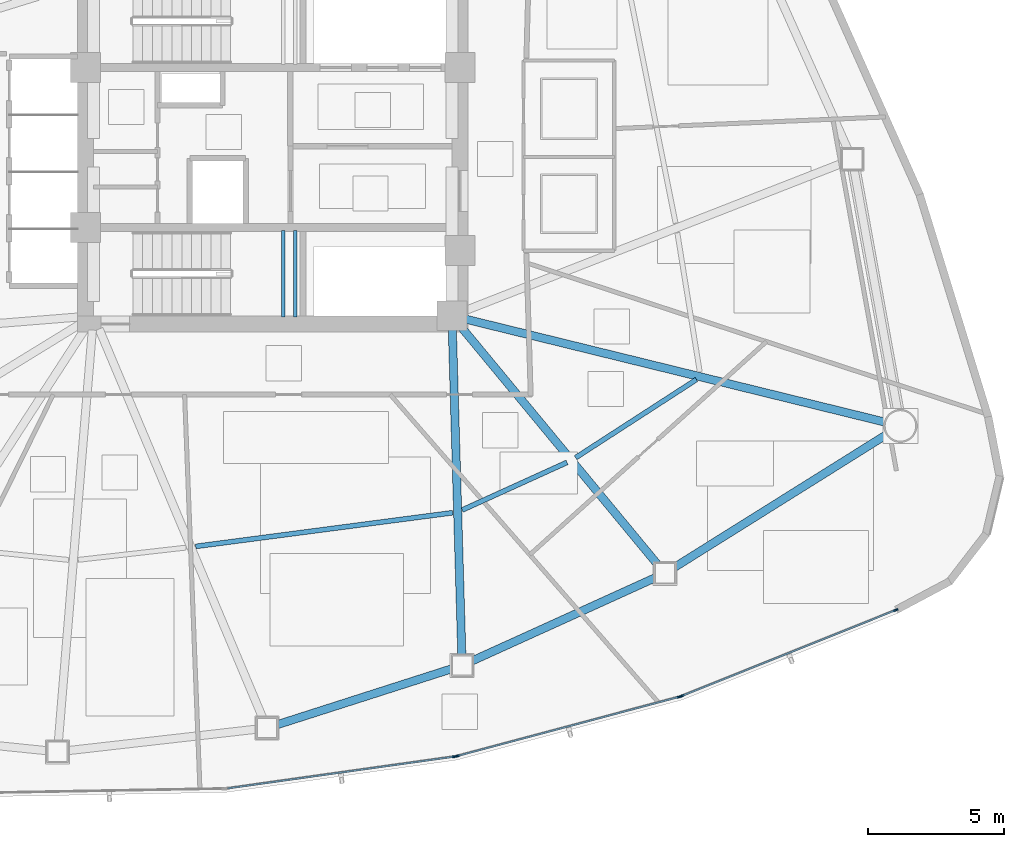
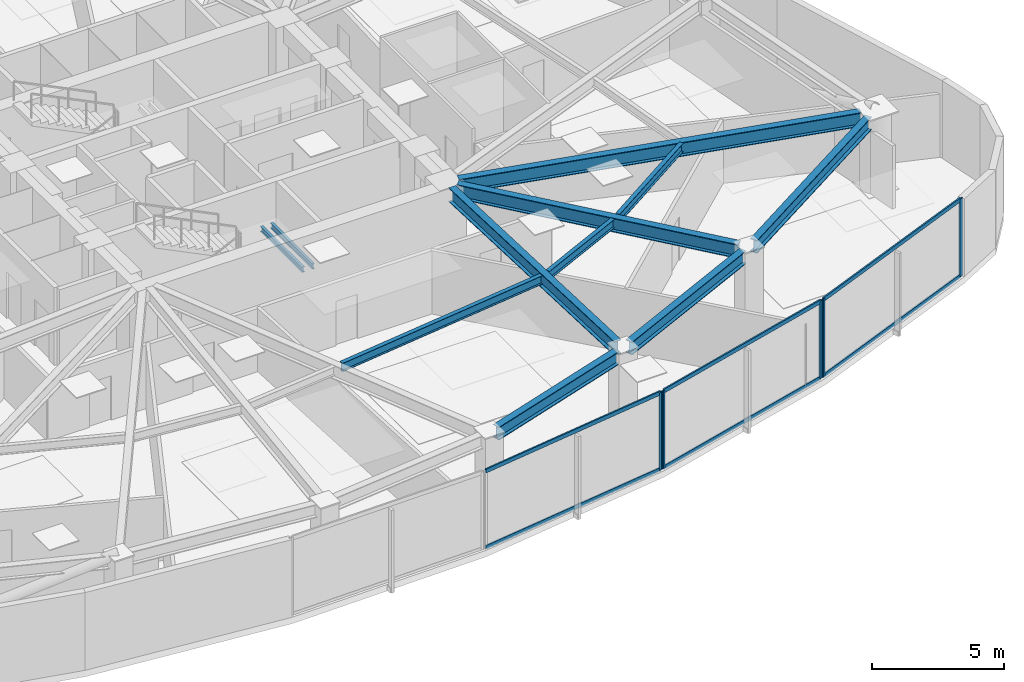
# One storey, part 5 of 17: 11 beams, 11 members, 3 elements without a shape of their own.
"""IFC4 building model written with IfcOpenShell, lengths in metres."""

from ifc_helpers import new_model, si_unit, direction, frame, origin, origin_2d, place, context, subcontext, project, spatial, hollow_rectangle, i_section, extrude, source, transform, mapped, material, layer, layer_set, material_profile, profile_set, type_object, type_shapes, element, aggregate, save


model = new_model("IFC4")

# Units and contexts
model_context = context("Model", 3, precision=1e-05, world=origin(), true_north=direction((0.0, 1.0)))
body_context = subcontext(model_context, "Body", "Model", "MODEL_VIEW")
ifc_project = project(units=[si_unit("LENGTHUNIT", "METRE"), si_unit("AREAUNIT", "SQUARE_METRE"), si_unit("VOLUMEUNIT", "CUBIC_METRE"), si_unit("PLANEANGLEUNIT", "RADIAN"), si_unit("MASSUNIT", "GRAM", prefix="KILO")], contexts=[model_context])

# Site, building, storey
site_placement = place(None, origin())
site = spatial("IfcSite", under=ifc_project, at=site_placement, CompositionType="ELEMENT")
building_placement = place(site_placement, origin())
building = spatial("IfcBuilding", under=site, at=building_placement, Name="Tavelor Broadcast Tower", CompositionType="ELEMENT")
storey_placement = place(building_placement, frame((0.0, 0.0, 43.199951171875)))
storey = spatial("IfcBuildingStorey", under=building, at=storey_placement, Name="L09", CompositionType="ELEMENT", Elevation=43.199951171875)

# Beams
ifc_material_1 = material(Name="Steel S355", Category="steel")
ifc_material_profile_1 = material_profile(ifc_material_1, i_section(OverallWidth=0.179931640625, OverallDepth=0.39990234375, WebThickness=0.008544921875, FlangeThickness=0.013427734375, at=origin_2d()), Name="IPE 400")
ifc_profile_set_1 = profile_set([ifc_material_profile_1], Name="Steel S355")
beam_type_1 = type_object("IfcBeamType", Name="Composite Floor Joist T1 IPE 400", PredefinedType="JOIST", material=ifc_profile_set_1)
beam_1_placement = place(storey_placement, frame((47.16259765625, 30.3056640625, 3.400146484375), z_axis=(0.991514230948, 0.129998191635, 0.0), x_axis=(-0.129998191635, 0.991514230948, 0.0)))
element("IfcBeam", 1, at=beam_1_placement, inside=storey, type_object=beam_type_1, Name="L09 Secondary Composite Floor Joist 10", PredefinedType="JOIST", context=body_context, shape_type="SweptSolid", body=[
    extrude(i_section(OverallWidth=0.179931640625, OverallDepth=0.39990234375, WebThickness=0.008544921875, FlangeThickness=0.013427734375, at=origin_2d()), origin(), (0.0, 0.0, 1.0), 9.5498046875),
])
beam_2_placement = place(storey_placement, frame((56.9755859375, 31.6455078125, 3.400146484375), z_axis=(0.910480737696, 0.413551479607, 0.0), x_axis=(-0.413551479607, 0.910480737696, 0.0)))
element("IfcBeam", 2, at=beam_2_placement, inside=storey, type_object=beam_type_1, Name="L09 Secondary Composite Floor Joist 11", PredefinedType="JOIST", context=body_context, shape_type="SweptSolid", body=[
    extrude(i_section(OverallWidth=0.179931640625, OverallDepth=0.39990234375, WebThickness=0.008544921875, FlangeThickness=0.013427734375, at=origin_2d()), origin(), (0.0, 0.0, 1.0), 4.242919921875),
])
beam_3_placement = place(storey_placement, frame((61.1552734375, 33.573486328125, 3.400146484375), z_axis=(0.839582514508, 0.543232179949, 0.0), x_axis=(-0.543232179949, 0.839582514508, 0.0)))
element("IfcBeam", 3, at=beam_3_placement, inside=storey, type_object=beam_type_1, Name="L09 Secondary Composite Floor Joist 12", PredefinedType="JOIST", context=body_context, shape_type="SweptSolid", body=[
    extrude(i_section(OverallWidth=0.179931640625, OverallDepth=0.39990234375, WebThickness=0.008544921875, FlangeThickness=0.013427734375, at=origin_2d()), origin(), (0.0, 0.0, 1.0), 5.300537109375),
])
ifc_material_profile_2 = material_profile(ifc_material_1, i_section(OverallWidth=0.300048828125, OverallDepth=0.60009765625, WebThickness=0.015380859375, FlangeThickness=0.030029296875, at=origin_2d()), Name="HEB 600")
ifc_profile_set_2 = profile_set([ifc_material_profile_2], Name="Steel S355")
beam_type_2 = type_object("IfcBeamType", Name="Perimeter Spandrel Beam T1 HEB 600", PredefinedType="SPANDREL", material=ifc_profile_set_2)
beam_4_placement = place(storey_placement, frame((50.15234375, 23.735107421875, 3.300048828125), z_axis=(0.952305764648, 0.305145425362, 0.0), x_axis=(-0.305145425362, 0.952305764648, 0.0)))
element("IfcBeam", 4, at=beam_4_placement, inside=storey, type_object=beam_type_2, Name="L09 Framed-Tube Ring Spandrel 10", PredefinedType="SPANDREL", context=body_context, shape_type="SweptSolid", body=[
    extrude(i_section(OverallWidth=0.300048828125, OverallDepth=0.60009765625, WebThickness=0.015380859375, FlangeThickness=0.030029296875, at=origin_2d()), origin(), (0.0, 0.0, 1.0), 6.78076171875),
])
beam_5_placement = place(storey_placement, frame((57.324951171875, 26.080322265625, 3.300048828125), z_axis=(0.910424944341, 0.413674293039, 0.0), x_axis=(-0.413674293039, 0.910424944341, 0.0)))
element("IfcBeam", 5, at=beam_5_placement, inside=storey, type_object=beam_type_2, Name="L09 Framed-Tube Ring Spandrel 11", PredefinedType="SPANDREL", context=body_context, shape_type="SweptSolid", body=[
    extrude(i_section(OverallWidth=0.300048828125, OverallDepth=0.60009765625, WebThickness=0.015380859375, FlangeThickness=0.030029296875, at=origin_2d()), origin(), (0.0, 0.0, 1.0), 7.43505859375),
])
beam_6_placement = place(storey_placement, frame((64.76904296875, 29.518798828125, 3.300048828125), z_axis=(0.847667977469, 0.530527096361, 0.0), x_axis=(-0.530527096361, 0.847667977469, 0.0)))
element("IfcBeam", 6, at=beam_6_placement, inside=storey, type_object=beam_type_2, Name="L09 Framed-Tube Ring Spandrel 12", PredefinedType="SPANDREL", context=body_context, shape_type="SweptSolid", body=[
    extrude(i_section(OverallWidth=0.300048828125, OverallDepth=0.60009765625, WebThickness=0.015380859375, FlangeThickness=0.030029296875, at=origin_2d()), origin(), (0.0, 0.0, 1.0), 9.263916015625),
])
ifc_material_profile_3 = material_profile(ifc_material_1, i_section(OverallWidth=0.300048828125, OverallDepth=0.64990234375, WebThickness=0.01611328125, FlangeThickness=0.031005859375, at=origin_2d()), Name="HEB 650")
ifc_profile_set_3 = profile_set([ifc_material_profile_3], Name="Steel S355")
beam_type_3 = type_object("IfcBeamType", Name="Radial Floor Girder T1 HEB 650", PredefinedType="BEAM", material=ifc_profile_set_3)
beam_7_placement = place(storey_placement, frame((56.615478515625, 38.272216796875, 3.275146484375), z_axis=(0.02912098859, -0.999575894079, 0.0), x_axis=(0.999575894079, 0.02912098859, 0.0)))
element("IfcBeam", 7, at=beam_7_placement, inside=storey, type_object=beam_type_3, Name="L09 Radial Primary Floor Girder 11", PredefinedType="BEAM", context=body_context, shape_type="SweptSolid", body=[
    extrude(i_section(OverallWidth=0.300048828125, OverallDepth=0.64990234375, WebThickness=0.01611328125, FlangeThickness=0.031005859375, at=origin_2d()), origin(), (0.0, 0.0, 1.0), 11.971923828125),
])
beam_8_placement = place(storey_placement, frame((56.9365234375, 38.39306640625, 3.275146484375), z_axis=(0.63726338108, -0.770646081632, 0.0), x_axis=(0.770646081632, 0.63726338108, 0.0)))
element("IfcBeam", 8, at=beam_8_placement, inside=storey, type_object=beam_type_3, Name="L09 Radial Primary Floor Girder 12", PredefinedType="BEAM", context=body_context, shape_type="SweptSolid", body=[
    extrude(i_section(OverallWidth=0.300048828125, OverallDepth=0.64990234375, WebThickness=0.01611328125, FlangeThickness=0.031005859375, at=origin_2d()), origin(), (0.0, 0.0, 1.0), 11.39599609375),
])
beam_9_placement = place(storey_placement, frame((57.11279296875, 38.674072265625, 3.275146484375), z_axis=(0.971150402203, -0.23846780978, 0.0), x_axis=(0.23846780978, 0.971150402203, 0.0)))
element("IfcBeam", 9, at=beam_9_placement, inside=storey, type_object=beam_type_3, Name="L09 Radial Primary Floor Girder 13", PredefinedType="BEAM", context=body_context, shape_type="SweptSolid", body=[
    extrude(i_section(OverallWidth=0.300048828125, OverallDepth=0.64990234375, WebThickness=0.01611328125, FlangeThickness=0.031005859375, at=origin_2d()), origin(), (0.0, 0.0, 1.0), 15.895263671875),
])
ifc_material_profile_4 = material_profile(ifc_material_1, i_section(OverallWidth=0.1201171875, OverallDepth=0.239990234375, WebThickness=0.006103515625, FlangeThickness=0.009765625, at=origin_2d()), Name="IPE 240")
ifc_profile_set_4 = profile_set([ifc_material_profile_4], Name="Steel S355")
beam_type_4 = type_object("IfcBeamType", Name="Stairwell Landing Support Trimmer Beam IPE240", PredefinedType="BEAM", material=ifc_profile_set_4)
for number, where, z_axis, x_axis, name in (
    (10, (50.385009765625, 38.760009765625, 1.635009765625), (0.0, 1.0, 0.0), (-1.0, 0.0, 0.0), "L09 Stair Landing Support Beam 257"),
    (11, (50.824951171875, 38.760009765625, 1.635009765625), (0.0, 1.0, 0.0), (-1.0, 0.0, 0.0), "L09 Stair Landing Support Beam 258"),
):
    element("IfcBeam", number, at=place(storey_placement, frame(where, z_axis=z_axis, x_axis=x_axis)), inside=storey, type_object=beam_type_4, Name=name, PredefinedType="BEAM", context=body_context, shape_type="SweptSolid", body=[
        extrude(i_section(OverallWidth=0.1201171875, OverallDepth=0.239990234375, WebThickness=0.006103515625, FlangeThickness=0.009765625, at=origin_2d()), origin(), (0.0, 0.0, 1.0), 3.179931640625),
    ])

# Curtain wall, member
ifc_material_2 = material(Name="Architectural Anodized Aluminium", Category="aluminium")
ifc_layer = layer(ifc_material_2, 0.179931640625)
ifc_layer_set = layer_set([ifc_layer], Name="Architectural Anodized Aluminium")
curtain_wall_type = type_object("IfcCurtainWallType", Name="Tower Low-Zone Unitised Curtain Wall CW02", PredefinedType="NOTDEFINED", material=ifc_layer_set)
curtain_wall_1_placement = place(storey_placement, origin())
curtain_wall_1 = element("IfcCurtainWall", 12, at=curtain_wall_1_placement, inside=storey, type_object=curtain_wall_type, Name="L09 Curtain Wall CW02 Run 66", PredefinedType="NOTDEFINED")
ifc_material_profile_5 = material_profile(ifc_material_2, hollow_rectangle(XDim=0.06494140625, YDim=0.179931640625, WallThickness=0.02197265625, at=origin_2d()), Name="RHS 65x180x22")
ifc_profile_set_5 = profile_set([ifc_material_profile_5], Name="Architectural Anodized Aluminium")
member_type_1 = type_object("IfcMemberType", Name="CW02 Extruded Aluminium Mullion 65x180", PredefinedType="MULLION", material=ifc_profile_set_5)
shared_shape_1 = source(origin(), body_context, "Body", "SweptSolid", [
    extrude(hollow_rectangle(XDim=0.06494140625, YDim=0.179931640625, WallThickness=0.02197265625, at=origin_2d()), origin(), (0.0, 0.0, 1.0), 3.60009765625),
])
type_shapes(member_type_1, [shared_shape_1])
member_1_placement = place(storey_placement, frame((56.696044921875, 22.56591796875, 0.0), z_axis=(0.0, 0.0, 1.0), x_axis=(-0.138744574318, 0.990328199688, 0.0)))
member_1 = element("IfcMember", 13, at=member_1_placement, type_object=member_type_1, Name="CW02 mullion 2", PredefinedType="MULLION", context=body_context, shape_type="MappedRepresentation", body=[
    mapped(shared_shape_1, transform((0.0, 0.0, 0.0), scale=1.0)),
])

# Curtain wall, members
curtain_wall_2_placement = place(storey_placement, origin())
curtain_wall_2 = element("IfcCurtainWall", 14, at=curtain_wall_2_placement, inside=storey, type_object=curtain_wall_type, Name="L09 Curtain Wall CW02 Run 67", PredefinedType="NOTDEFINED")
member_2_placement = place(storey_placement, frame((56.788818359375, 22.584716796875, 0.0), z_axis=(0.0, 0.0, 1.0), x_axis=(-0.257573706756, 0.966258653564, 0.0)))
member_2 = element("IfcMember", 15, at=member_2_placement, type_object=member_type_1, Name="CW02 mullion 1", PredefinedType="MULLION", context=body_context, shape_type="MappedRepresentation", body=[
    mapped(shared_shape_1, transform((0.0, 0.0, 0.0), scale=1.0)),
])
member_3_placement = place(storey_placement, frame((64.975341796875, 24.76708984375, 0.0), z_axis=(0.0, 0.0, 1.0), x_axis=(-0.257573706756, 0.966258653564, 0.0)))
member_3 = element("IfcMember", 16, at=member_3_placement, type_object=member_type_1, Name="CW02 mullion 2", PredefinedType="MULLION", context=body_context, shape_type="MappedRepresentation", body=[
    mapped(shared_shape_1, transform((0.0, 0.0, 0.0), scale=1.0)),
])

curtain_wall_3_placement = place(storey_placement, origin())
curtain_wall_3 = element("IfcCurtainWall", 17, at=curtain_wall_3_placement, inside=storey, type_object=curtain_wall_type, Name="L09 Curtain Wall CW02 Run 68", PredefinedType="NOTDEFINED")
member_4_placement = place(storey_placement, frame((65.0654296875, 24.797119140625, 0.0), z_axis=(0.0, 0.0, 1.0), x_axis=(-0.372597816591, 0.927992924042, 0.0)))
member_4 = element("IfcMember", 18, at=member_4_placement, type_object=member_type_1, Name="CW02 mullion 1", PredefinedType="MULLION", context=body_context, shape_type="MappedRepresentation", body=[
    mapped(shared_shape_1, transform((0.0, 0.0, 0.0), scale=1.0)),
])
member_5_placement = place(storey_placement, frame((72.9423828125, 27.959716796875, 0.0), z_axis=(0.0, 0.0, 1.0), x_axis=(-0.372597816591, 0.927992924042, 0.0)))
member_5 = element("IfcMember", 19, at=member_5_placement, type_object=member_type_1, Name="CW02 mullion 2", PredefinedType="MULLION", context=body_context, shape_type="MappedRepresentation", body=[
    mapped(shared_shape_1, transform((0.0, 0.0, 0.0), scale=1.0)),
])
ifc_material_profile_6 = material_profile(ifc_material_2, hollow_rectangle(XDim=0.06494140625, YDim=0.179931640625, WallThickness=0.02197265625, at=origin_2d()), Name="RHS 65x180x22")
ifc_profile_set_6 = profile_set([ifc_material_profile_6], Name="Architectural Anodized Aluminium")
member_type_2 = type_object("IfcMemberType", Name="CW02 Extruded Aluminium Transom 65x180", PredefinedType="USERDEFINED", material=ifc_profile_set_6)
shared_shape_2 = source(origin(), body_context, "Body", "SweptSolid", [
    extrude(hollow_rectangle(XDim=0.06494140625, YDim=0.179931640625, WallThickness=0.02197265625, at=origin_2d()), origin(), (0.0, 0.0, 1.0), 8.423095703125),
])
member_6_placement = place(storey_placement, frame((65.095458984375, 24.80908203125, 0.032470703125), z_axis=(0.927994168739, 0.37259471653, 0.0), x_axis=(-0.37259471653, 0.927994168739, 0.0)))
member_6 = element("IfcMember", 20, at=member_6_placement, type_object=member_type_2, Name="CW02 transom 1.1", ObjectType="TRANSOM", PredefinedType="USERDEFINED", context=body_context, shape_type="MappedRepresentation", body=[
    mapped(shared_shape_2, transform((0.0, 0.0, 0.0), scale=1.0)),
])
member_7_placement = place(storey_placement, frame((65.095458984375, 24.80908203125, 3.567626953125), z_axis=(0.927994168739, 0.37259471653, 0.0), x_axis=(-0.37259471653, 0.927994168739, 0.0)))
member_7 = element("IfcMember", 21, at=member_7_placement, type_object=member_type_2, Name="CW02 transom 1.2", ObjectType="TRANSOM", PredefinedType="USERDEFINED", context=body_context, shape_type="MappedRepresentation", body=[
    mapped(shared_shape_2, transform((0.0, 0.0, 0.0), scale=1.0)),
])
aggregate(curtain_wall_3, [member_4, member_5, member_6, member_7])

# Member
shared_shape_3 = source(origin(), body_context, "Body", "SweptSolid", [
    extrude(hollow_rectangle(XDim=0.06494140625, YDim=0.179931640625, WallThickness=0.02197265625, at=origin_2d()), origin(), (0.0, 0.0, 1.0), 8.4072265625),
])
member_8_placement = place(storey_placement, frame((48.337890625, 21.39501953125, 0.032470703125), z_axis=(0.99032746671, 0.138749806056, 0.0), x_axis=(-0.138749806056, 0.99032746671, 0.0)))
member_8 = element("IfcMember", 22, at=member_8_placement, type_object=member_type_2, Name="CW02 transom 1.1", ObjectType="TRANSOM", PredefinedType="USERDEFINED", context=body_context, shape_type="MappedRepresentation", body=[
    mapped(shared_shape_3, transform((0.0, 0.0, 0.0), scale=1.0)),
])

member_9_placement = place(storey_placement, frame((48.337890625, 21.39501953125, 3.567626953125), z_axis=(0.99032746671, 0.138749806056, 0.0), x_axis=(-0.138749806056, 0.99032746671, 0.0)))
member_9 = element("IfcMember", 23, at=member_9_placement, type_object=member_type_2, Name="CW02 transom 1.2", ObjectType="TRANSOM", PredefinedType="USERDEFINED", context=body_context, shape_type="MappedRepresentation", body=[
    mapped(shared_shape_3, transform((0.0, 0.0, 0.0), scale=1.0)),
])

aggregate(curtain_wall_1, [member_1, member_8, member_9])

shared_shape_4 = source(origin(), body_context, "Body", "SweptSolid", [
    extrude(hollow_rectangle(XDim=0.06494140625, YDim=0.179931640625, WallThickness=0.02197265625, at=origin_2d()), origin(), (0.0, 0.0, 1.0), 8.407470703125),
])
type_shapes(member_type_2, [shared_shape_2, shared_shape_3, shared_shape_4])
member_10_placement = place(storey_placement, frame((56.8203125, 22.59326171875, 0.032470703125), z_axis=(0.966266260631, 0.25754516801, 0.0), x_axis=(-0.25754516801, 0.966266260631, 0.0)))
member_10 = element("IfcMember", 24, at=member_10_placement, type_object=member_type_2, Name="CW02 transom 1.1", ObjectType="TRANSOM", PredefinedType="USERDEFINED", context=body_context, shape_type="MappedRepresentation", body=[
    mapped(shared_shape_4, transform((0.0, 0.0, 0.0), scale=1.0)),
])

member_11_placement = place(storey_placement, frame((56.8203125, 22.59326171875, 3.567626953125), z_axis=(0.966266260631, 0.25754516801, 0.0), x_axis=(-0.25754516801, 0.966266260631, 0.0)))
member_11 = element("IfcMember", 25, at=member_11_placement, type_object=member_type_2, Name="CW02 transom 1.2", ObjectType="TRANSOM", PredefinedType="USERDEFINED", context=body_context, shape_type="MappedRepresentation", body=[
    mapped(shared_shape_4, transform((0.0, 0.0, 0.0), scale=1.0)),
])

aggregate(curtain_wall_2, [member_2, member_3, member_10, member_11])

save(model, "model.ifc")
